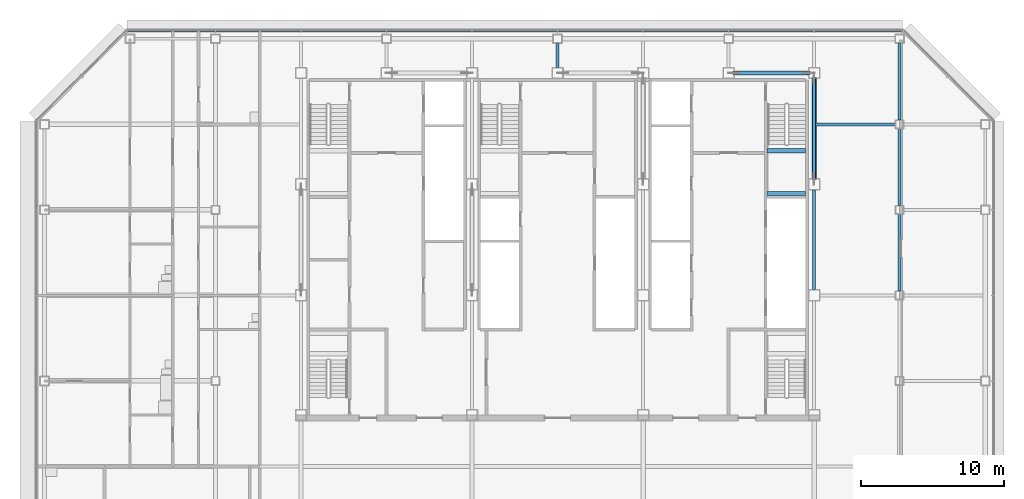
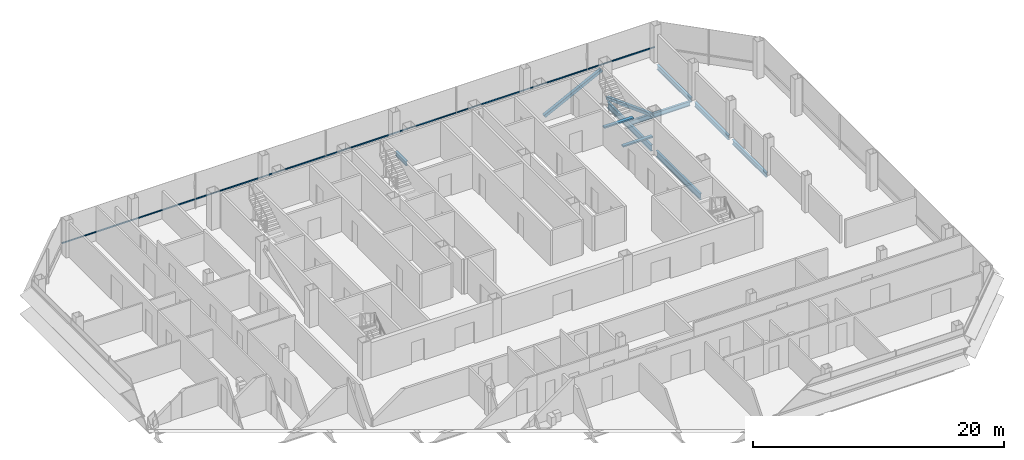
# One storey, part 14 of 27: 9 beams, 3 members, 1 element without a shape of its own.
"""IFC4 building model written with IfcOpenShell, lengths in metres."""

from ifc_helpers import new_model, si_unit, direction, frame, origin, origin_2d, place, context, subcontext, project, spatial, rectangle, hollow_rectangle, i_section, extrude, material, material_profile, profile_set, type_object, element, aggregate, save


model = new_model("IFC4")

# Units and contexts
model_context = context("Model", 3, precision=1e-05, world=origin(), true_north=direction((0.0, 1.0)))
body_context = subcontext(model_context, "Body", "Model", "MODEL_VIEW")
ifc_project = project(units=[si_unit("LENGTHUNIT", "METRE"), si_unit("AREAUNIT", "SQUARE_METRE"), si_unit("VOLUMEUNIT", "CUBIC_METRE"), si_unit("PLANEANGLEUNIT", "RADIAN"), si_unit("MASSUNIT", "GRAM", prefix="KILO")], contexts=[model_context])

# Site, building, storey
site_placement = place(None, origin())
site = spatial("IfcSite", under=ifc_project, at=site_placement, CompositionType="ELEMENT")
building_placement = place(site_placement, origin())
building = spatial("IfcBuilding", under=site, at=building_placement, Name="Sorahane Residences", CompositionType="ELEMENT")
storey_placement = place(building_placement, frame((0.0, 0.0, 206.39990234375)))
storey = spatial("IfcBuildingStorey", under=building, at=storey_placement, Name="L48", CompositionType="ELEMENT", Elevation=206.39990234375)

# Members
ifc_material_1 = material(Name="Steel Q355B", Category="steel")
ifc_material_profile_1 = material_profile(ifc_material_1, hollow_rectangle(XDim=0.300048828125, YDim=0.300048828125, WallThickness=0.01611328125, InnerFilletRadius=0.008056640625, OuterFilletRadius=0.02392578125, at=origin_2d()), Name="RHS 300x300x16")
ifc_profile_set_1 = profile_set([ifc_material_profile_1], Name="Steel Q355B")
member_type_1 = type_object("IfcMemberType", Name="Core brace RHS 300x300x16 Q355B", PredefinedType="BRACE", material=ifc_profile_set_1)
member_1_placement = place(storey_placement, frame((36.359375, 45.60009765625, 0.129638671875), z_axis=(0.892371710858, 0.0, 0.451301151849), x_axis=(0.0, 1.0, 0.0)))
element("IfcMember", 1, at=member_1_placement, inside=storey, type_object=member_type_1, Name="Core brace L48 y45.6-6", PredefinedType="BRACE", context=body_context, shape_type="SweptSolid", body=[
    extrude(hollow_rectangle(XDim=0.300048828125, YDim=0.300048828125, WallThickness=0.01611328125, InnerFilletRadius=0.008056640625, OuterFilletRadius=0.02392578125, at=origin_2d()), origin(), (0.0, 0.0, 1.0), 5.918212890625),
])
member_2_placement = place(storey_placement, frame((42.0, 45.231689453125, 0.13818359375), z_axis=(0.0, -0.936106926968, 0.351715540291), x_axis=(1.0, 0.0, 0.0)))
element("IfcMember", 2, at=member_2_placement, inside=storey, type_object=member_type_1, Name="Core brace L48 x42-3", PredefinedType="BRACE", context=body_context, shape_type="SweptSolid", body=[
    extrude(hollow_rectangle(XDim=0.300048828125, YDim=0.300048828125, WallThickness=0.01611328125, InnerFilletRadius=0.008056640625, OuterFilletRadius=0.02392578125, at=origin_2d()), origin(), (0.0, 0.0, 1.0), 7.54541015625),
])

# Curtain wall, member
ifc_material_2 = material(Name="Dark low-e glass and black anodised aluminium", Category="aluminium")
curtain_wall_type = type_object("IfcCurtainWallType", Name="Curtain wall CW-1 Typical unitised wall", PredefinedType="NOTDEFINED", material=ifc_material_2)
curtain_wall_placement = place(storey_placement, origin())
curtain_wall = element("IfcCurtainWall", 3, at=curtain_wall_placement, inside=storey, type_object=curtain_wall_type, Name="CW-1 curtain wall L48 N1", PredefinedType="NOTDEFINED")
ifc_material_3 = material(Name="Black anodised aluminium", Category="aluminium")
ifc_material_profile_2 = material_profile(ifc_material_3, rectangle(XDim=0.10009765625, YDim=0.06005859375, at=origin_2d()), Name="Curtain wall transom CW-1 black anodised aluminium 60x100")
ifc_profile_set_2 = profile_set([ifc_material_profile_2], Name="Black anodised aluminium")
member_type_2 = type_object("IfcMemberType", Name="Curtain wall transom CW-1 black anodised aluminium 60x100", PredefinedType="USERDEFINED", material=ifc_profile_set_2)
member_3_placement = place(storey_placement, frame((48.198486328125, 48.530029296875, 0.900146484375), z_axis=(-1.0, 0.0, 0.0), x_axis=(0.0, -1.0, 0.0)))
member_3 = element("IfcMember", 4, at=member_3_placement, type_object=member_type_2, Name="CW-1 transom L48 N1", ObjectType="TRANSOM", PredefinedType="USERDEFINED", context=body_context, shape_type="SweptSolid", body=[
    extrude(rectangle(XDim=0.10009765625, YDim=0.06005859375, at=origin_2d()), origin(), (0.0, 0.0, 1.0), 54.39697265625),
])
aggregate(curtain_wall, [member_3])

# Beams
ifc_material_4 = material(Name="Concrete C40", Category="concrete")
ifc_material_profile_3 = material_profile(ifc_material_4, rectangle(XDim=0.300048828125, YDim=0.139892578125, at=origin_2d()), Name="300x140")
ifc_profile_set_3 = profile_set([ifc_material_profile_3], Name="Concrete C40")
beam_type_1 = type_object("IfcBeamType", Name="RC landing beam 300 x 140 Concrete C40", PredefinedType="BEAM", material=ifc_profile_set_3)
for number, where, z_axis, x_axis, name in (
    (5, (38.699951171875, 37.14990234375, 1.530029296875), (1.0, 0.0, 0.0), (0.0, 1.0, 0.0), "Landing beam"),
    (6, (38.699951171875, 40.14990234375, 1.530029296875), (1.0, 0.0, 0.0), (0.0, 1.0, 0.0), "Landing beam"),
):
    element("IfcBeam", number, at=place(storey_placement, frame(where, z_axis=z_axis, x_axis=x_axis)), inside=storey, type_object=beam_type_1, Name=name, PredefinedType="BEAM", context=body_context, shape_type="SweptSolid", body=[
        extrude(rectangle(XDim=0.300048828125, YDim=0.139892578125, at=origin_2d()), origin(), (0.0, 0.0, 1.0), 2.699951171875),
    ])
ifc_material_5 = material(Name="Steel Q355B", Category="steel")
ifc_material_profile_4 = material_profile(ifc_material_5, i_section(OverallWidth=0.199951171875, OverallDepth=0.449951171875, WebThickness=0.009033203125, FlangeThickness=0.013916015625, FilletRadius=0.02001953125, at=origin_2d()), Name="HN 450x200x9x14")
ifc_profile_set_4 = profile_set([ifc_material_profile_4], Name="Steel Q355B")
beam_type_2 = type_object("IfcBeamType", Name="Steel floor beam HN 450x200x9x14 Q355B", PredefinedType="BEAM", material=ifc_profile_set_4)
beam_1_placement = place(storey_placement, frame((24.0, 46.0, -0.40478515625), z_axis=(0.0, 1.0, 0.0), x_axis=(-1.0, 0.0, 0.0)))
element("IfcBeam", 7, at=beam_1_placement, inside=storey, type_object=beam_type_2, Name="Beam L48 043", PredefinedType="BEAM", context=body_context, shape_type="SweptSolid", body=[
    extrude(i_section(OverallWidth=0.199951171875, OverallDepth=0.449951171875, WebThickness=0.009033203125, FlangeThickness=0.013916015625, FilletRadius=0.02001953125, at=origin_2d()), origin(), (0.0, 0.0, 1.0), 1.675048828125),
])
for number, where, z_axis, x_axis, name in (
    (8, (48.0, 30.300048828125, -0.40478515625), (0.0, 1.0, 0.0), (-1.0, 0.0, 0.0), "Beam L48 061"),
    (9, (48.0, 36.300048828125, -0.40478515625), (0.0, 1.0, 0.0), (-1.0, 0.0, 0.0), "Beam L48 062"),
):
    element("IfcBeam", number, at=place(storey_placement, frame(where, z_axis=z_axis, x_axis=x_axis)), inside=storey, type_object=beam_type_2, Name=name, PredefinedType="BEAM", context=body_context, shape_type="SweptSolid", body=[
        extrude(i_section(OverallWidth=0.199951171875, OverallDepth=0.449951171875, WebThickness=0.009033203125, FlangeThickness=0.013916015625, FilletRadius=0.02001953125, at=origin_2d()), origin(), (0.0, 0.0, 1.0), 5.39990234375),
    ])
beam_2_placement = place(storey_placement, frame((48.0, 42.300048828125, -0.40478515625), z_axis=(0.0, 1.0, 0.0), x_axis=(-1.0, 0.0, 0.0)))
element("IfcBeam", 10, at=beam_2_placement, inside=storey, type_object=beam_type_2, Name="Beam L48 063", PredefinedType="BEAM", context=body_context, shape_type="SweptSolid", body=[
    extrude(i_section(OverallWidth=0.199951171875, OverallDepth=0.449951171875, WebThickness=0.009033203125, FlangeThickness=0.013916015625, FilletRadius=0.02001953125, at=origin_2d()), origin(), (0.0, 0.0, 1.0), 5.375),
])
beam_3_placement = place(storey_placement, frame((42.10009765625, 42.0, -0.40478515625), z_axis=(1.0, 0.0, 0.0), x_axis=(0.0, 1.0, 0.0)))
element("IfcBeam", 11, at=beam_3_placement, inside=storey, type_object=beam_type_2, Name="Beam L48 091", PredefinedType="BEAM", context=body_context, shape_type="SweptSolid", body=[
    extrude(i_section(OverallWidth=0.199951171875, OverallDepth=0.449951171875, WebThickness=0.009033203125, FlangeThickness=0.013916015625, FilletRadius=0.02001953125, at=origin_2d()), origin(), (0.0, 0.0, 1.0), 5.599853515625),
])
ifc_material_6 = material(Name="Steel Q355B", Category="steel")
ifc_material_profile_5 = material_profile(ifc_material_6, i_section(OverallWidth=0.199951171875, OverallDepth=0.60009765625, WebThickness=0.010986328125, FlangeThickness=0.01708984375, FilletRadius=0.02392578125, at=origin_2d()), Name="HN 600x200x11x17")
ifc_profile_set_5 = profile_set([ifc_material_profile_5], Name="Steel Q355B")
beam_type_3 = type_object("IfcBeamType", Name="Steel floor beam HN 600x200x11x17 Q355B", PredefinedType="BEAM", material=ifc_profile_set_5)
for number, where, z_axis, x_axis, name in (
    (12, (42.0, 30.39990234375, -0.47998046875), (0.0, 1.0, 0.0), (-1.0, 0.0, 0.0), "Beam L48 055"),
    (13, (42.0, 38.199951171875, -0.47998046875), (0.0, 1.0, 0.0), (-1.0, 0.0, 0.0), "Beam L48 056"),
):
    element("IfcBeam", number, at=place(storey_placement, frame(where, z_axis=z_axis, x_axis=x_axis)), inside=storey, type_object=beam_type_3, Name=name, PredefinedType="BEAM", context=body_context, shape_type="SweptSolid", body=[
        extrude(i_section(OverallWidth=0.199951171875, OverallDepth=0.60009765625, WebThickness=0.010986328125, FlangeThickness=0.01708984375, FilletRadius=0.02392578125, at=origin_2d()), origin(), (0.0, 0.0, 1.0), 7.0),
    ])

save(model, "model.ifc")
